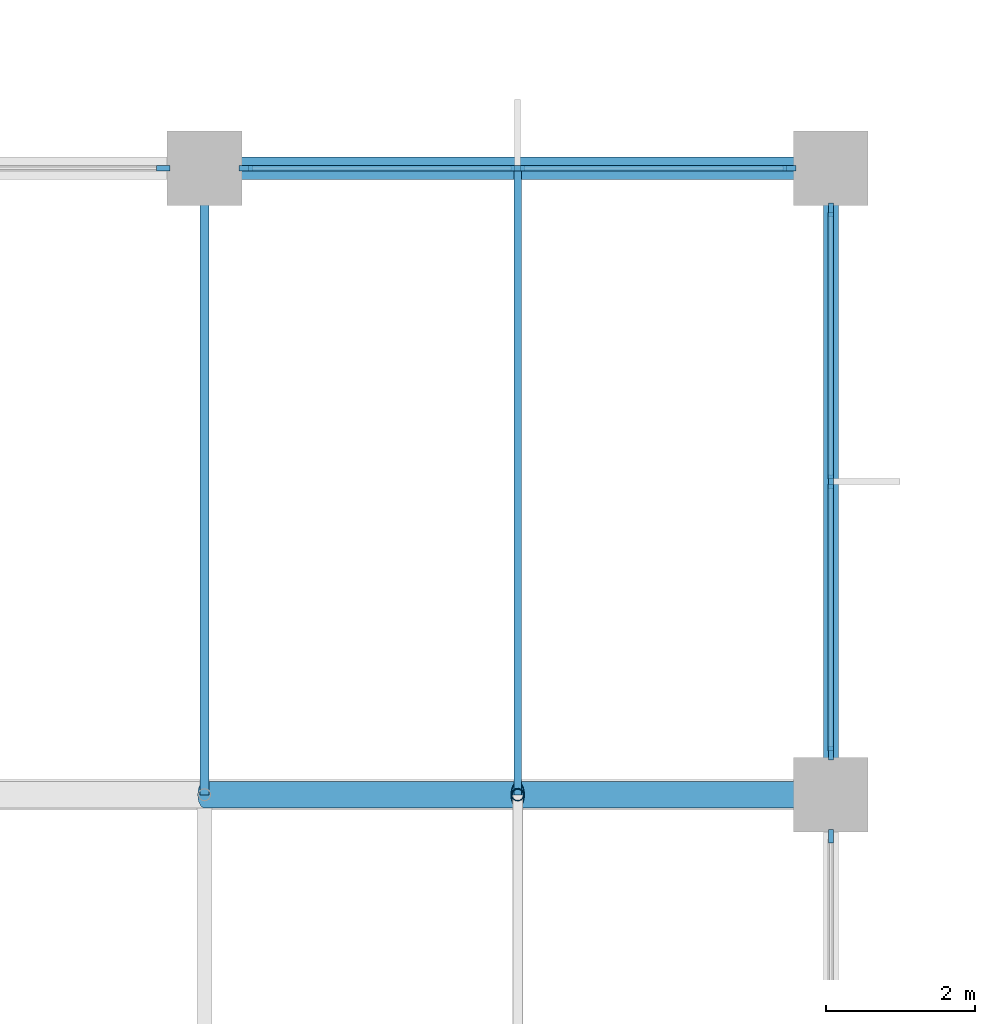
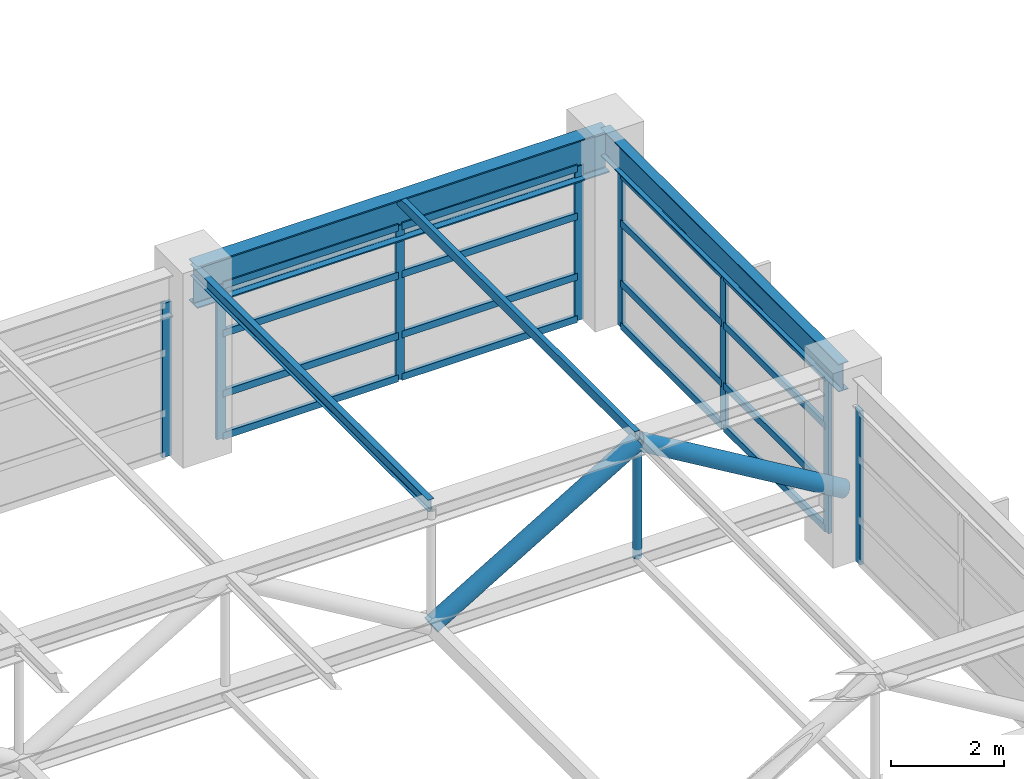
# One storey, part 17 of 32: 29 members, 2 beams, 4 elements without a shape of their own.
"""IFC4 building model written with IfcOpenShell, lengths in metres."""

import ifcopenshell
import ifcopenshell.guid

model = None  # the IFC model being written
_history = None  # IfcOwnerHistory: only IFC2X3 demands one
_inside = {}  # id of a spatial element -> (the spatial element, [elements in it])
_under = {}  # id of a project, library or spatial element -> (it, [spatial elements below it])
_declared = {}  # id of a project -> (the project, [libraries it declares])
_typed = {}  # id of a type object -> (the type object, [elements of that type])
_made_of = {}  # id of a material, layer set ... -> (it, [elements and type objects made of it])


def new_model(schema):
    """Start an empty IFC model of exactly this schema.

    Asked for "IFC4X3", IfcOpenShell would pick the latest addendum, in which some entities
    have other attributes; the version numbers below select the first issue.
    IFC2X3 requires an IfcOwnerHistory on every rooted entity: one is made here for all.
    """
    global model, _history
    if schema == "IFC4X3":
        model = ifcopenshell.file(schema_version=(4, 3, 0, 0))
    else:
        model = ifcopenshell.file(schema=schema)
    _inside.clear()
    _under.clear()
    _declared.clear()
    _typed.clear()
    _made_of.clear()
    _history = None
    if model.schema == "IFC2X3":
        org = make("IfcOrganization", Name="unknown")
        user = make(
            "IfcPersonAndOrganization",
            ThePerson=make("IfcPerson", FamilyName="unknown"),
            TheOrganization=org,
        )
        app = make(
            "IfcApplication",
            ApplicationDeveloper=org,
            Version="unknown",
            ApplicationFullName="unknown",
            ApplicationIdentifier="unknown",
        )
        _history = make(
            "IfcOwnerHistory",
            OwningUser=user,
            OwningApplication=app,
            ChangeAction="ADDED",
            CreationDate=0,
        )
    return model


def make(cls, **values):
    """One entity of the class cls with the attributes given. An attribute that is None is left unset."""
    return model.create_entity(
        cls, **{name: value for name, value in values.items() if value is not None}
    )


def rooted(cls, **values):
    """An entity with a GlobalId (a new one), such as an element, a storey or a relation."""
    return make(cls, GlobalId=ifcopenshell.guid.new(), OwnerHistory=_history, **values)


def si_unit(unit_type, name, prefix=None):
    """IfcSIUnit, for example si_unit("LENGTHUNIT", "METRE", prefix="MILLI")."""
    return make("IfcSIUnit", UnitType=unit_type, Prefix=prefix, Name=name)


def assignment(units):
    """IfcUnitAssignment: the units of a project."""
    return None if units is None else make("IfcUnitAssignment", Units=units)


def point(xyz):
    """IfcCartesianPoint."""
    return None if xyz is None else make("IfcCartesianPoint", Coordinates=xyz)


def direction(xyz):
    """IfcDirection."""
    return None if xyz is None else make("IfcDirection", DirectionRatios=xyz)


def frame(location, z_axis=None, x_axis=None):
    """IfcAxis2Placement3D, a coordinate frame: its origin and axes. An axis left out is left unset."""
    return make(
        "IfcAxis2Placement3D",
        Location=point(location),
        Axis=direction(z_axis),
        RefDirection=direction(x_axis),
    )


def frame_2d(location, x_axis=None):
    """IfcAxis2Placement2D, a coordinate frame in the plane: its origin and x axis."""
    return make(
        "IfcAxis2Placement2D", Location=point(location), RefDirection=direction(x_axis)
    )


def origin():
    """The frame at (0, 0, 0) with its axes left unset."""
    return frame((0.0, 0.0, 0.0))


def origin_2d():
    """The frame at (0, 0) in the plane with its x axis left unset."""
    return frame_2d((0.0, 0.0))


def place(relative_to, where):
    """IfcLocalPlacement: puts the frame where relative to a parent placement (None: the world)."""
    return make(
        "IfcLocalPlacement", PlacementRelTo=relative_to, RelativePlacement=where
    )


def context(
    kind, dimensions, precision=None, world=None, true_north=None, identifier=None
):
    """IfcGeometricRepresentationContext, for example the 3D "Model" context."""
    return make(
        "IfcGeometricRepresentationContext",
        ContextIdentifier=identifier,
        ContextType=kind,
        CoordinateSpaceDimension=dimensions,
        Precision=precision,
        WorldCoordinateSystem=world,
        TrueNorth=true_north,
    )


def subcontext(parent, identifier, kind, view, scale=None):
    """IfcGeometricRepresentationSubContext, for example "Body" below "Model"."""
    return make(
        "IfcGeometricRepresentationSubContext",
        ContextIdentifier=identifier,
        ContextType=kind,
        ParentContext=parent,
        TargetScale=scale,
        TargetView=view,
    )


def project(units=None, contexts=None):
    """IfcProject with its units and contexts."""
    return rooted(
        "IfcProject",
        Name="project",
        RepresentationContexts=contexts,
        UnitsInContext=assignment(units),
    )


def spatial(cls, under=None, at=None, **own):
    """A site, building, storey or space (cls), placed at a placement, below another one or the project."""
    s = rooted(cls, ObjectPlacement=at, **own)
    if under is not None:
        _under.setdefault(under.id(), (under, []))[1].append(s)
    return s


def profile(cls, at=None, kind="AREA", **sizes):
    """A parametric profile (cls). Its sizes go by their IFC names, for example OverallWidth=200.0."""
    return make(cls, ProfileType=kind, Position=at, **sizes)


def rectangle(**sizes):
    """IfcRectangleProfileDef."""
    return profile("IfcRectangleProfileDef", **sizes)


def hollow_rectangle(**sizes):
    """IfcRectangleHollowProfileDef."""
    return profile("IfcRectangleHollowProfileDef", **sizes)


def hollow_circle(**sizes):
    """IfcCircleHollowProfileDef."""
    return profile("IfcCircleHollowProfileDef", **sizes)


def i_section(**sizes):
    """IfcIShapeProfileDef."""
    return profile("IfcIShapeProfileDef", **sizes)


def extrude(swept, where, along, depth):
    """IfcExtrudedAreaSolid: the profile swept, set in the frame where, extruded along a direction by depth."""
    return make(
        "IfcExtrudedAreaSolid",
        SweptArea=swept,
        Position=where,
        ExtrudedDirection=direction(along),
        Depth=depth,
    )


def shape(context_of_items, identifier, shape_type, items):
    """IfcShapeRepresentation: the items that make up one representation, for example the "Body"."""
    return make(
        "IfcShapeRepresentation",
        ContextOfItems=context_of_items,
        RepresentationIdentifier=identifier,
        RepresentationType=shape_type,
        Items=items,
    )


def material(Name=None, Category=None):
    """IfcMaterial."""
    return make("IfcMaterial", Name=Name, Category=Category)


def material_profile(
    of_material, cross_section, Name=None, Category=None, Priority=None
):
    """IfcMaterialProfile: a cross section and its material."""
    return make(
        "IfcMaterialProfile",
        Name=Name,
        Material=of_material,
        Profile=cross_section,
        Priority=Priority,
        Category=Category,
    )


def profile_set(profiles, Name=None, composite=None):
    """IfcMaterialProfileSet."""
    return make(
        "IfcMaterialProfileSet",
        Name=Name,
        MaterialProfiles=profiles,
        CompositeProfile=composite,
    )


def made_of(thing, what):
    """Note that an element or type object is made of a material, layer set ...; save() writes the relation."""
    if what is not None:
        _made_of.setdefault(what.id(), (what, []))[1].append(thing)
    return thing


def type_object(cls, material=None, **own):
    """A type object (cls), such as IfcWallType, which elements share."""
    return made_of(rooted(cls, **own), material)


def element(
    cls,
    number,
    at=None,
    inside=None,
    cuts=None,
    type_object=None,
    material=None,
    context=None,
    identifier="Body",
    shape_type=None,
    held_by="IfcProductDefinitionShape",
    body=None,
    shapes=None,
    **own,
):
    """One element of the class cls, such as IfcWall. Its Tag is "e" and its number.

    at: its placement. inside: the storey or other place that contains it. cuts: it is an
    opening in that element (IfcRelVoidsElement). A single representation is given by context,
    identifier, shape_type and body (its items); several are given by shapes. held_by: the class
    of the entity that holds the representations. save() writes the other relations.
    """
    e = rooted(cls, Tag="e%d" % number, ObjectPlacement=at, **own)
    if body is not None:
        shapes = [shape(context, identifier, shape_type, body)]
    if shapes is not None:
        e.Representation = make(held_by, Representations=shapes)
    if inside is not None:
        _inside.setdefault(inside.id(), (inside, []))[1].append(e)
    if cuts is not None:
        rooted(
            "IfcRelVoidsElement", RelatingBuildingElement=cuts, RelatedOpeningElement=e
        )
    if type_object is not None:
        _typed.setdefault(type_object.id(), (type_object, []))[1].append(e)
    return made_of(e, material)


def aggregate(whole, parts):
    """IfcRelAggregates: a whole, such as a stair, and the parts it consists of."""
    return rooted("IfcRelAggregates", RelatingObject=whole, RelatedObjects=parts)


def save(model, path):
    """Write the relations noted so far, then the file.

    IfcRelAggregates (storeys below a building ...), IfcRelContainedInSpatialStructure (elements
    in a storey), IfcRelDefinesByType, IfcRelAssociatesMaterial and IfcRelDeclares: one each for
    every whole, place, type object, material and project.
    """
    for whole, parts in _under.values():
        aggregate(whole, parts)
    for where, things in _inside.values():
        rooted(
            "IfcRelContainedInSpatialStructure",
            RelatedElements=things,
            RelatingStructure=where,
        )
    for kind, things in _typed.values():
        rooted("IfcRelDefinesByType", RelatedObjects=things, RelatingType=kind)
    for what, things in _made_of.values():
        rooted("IfcRelAssociatesMaterial", RelatedObjects=things, RelatingMaterial=what)
    for by, libraries in _declared.values():
        rooted("IfcRelDeclares", RelatingContext=by, RelatedDefinitions=libraries)
    model.write(path)


model = new_model("IFC4")

# Units and contexts
model_context = context("Model", 3, precision=1e-05, world=origin(), true_north=direction((0.0, 1.0)))
body_context = subcontext(model_context, "Body", "Model", "MODEL_VIEW")
ifc_project = project(units=[si_unit("LENGTHUNIT", "METRE"), si_unit("AREAUNIT", "SQUARE_METRE"), si_unit("VOLUMEUNIT", "CUBIC_METRE"), si_unit("PLANEANGLEUNIT", "RADIAN"), si_unit("MASSUNIT", "GRAM", prefix="KILO")], contexts=[model_context])

# Site, building, storey
site_placement = place(None, origin())
site = spatial("IfcSite", under=ifc_project, at=site_placement, CompositionType="ELEMENT")
building_placement = place(site_placement, origin())
building = spatial("IfcBuilding", under=site, at=building_placement, Name="Xuanlan Plaza Opera House", CompositionType="ELEMENT")
storey_placement = place(building_placement, frame((0.0, 0.0, 40.5)))
storey = spatial("IfcBuildingStorey", under=building, at=storey_placement, Name="L09", CompositionType="ELEMENT", Elevation=40.5)

# Curtain wall, member
ifc_material_1 = material(Name="Anodised Aluminium 6063-T6 and Low-E Glass", Category="aluminium")
curtain_wall_type = type_object("IfcCurtainWallType", Name="ENV-CW-CW-05", PredefinedType="USERDEFINED", material=ifc_material_1)
curtain_wall_1_placement = place(storey_placement, origin())
curtain_wall_1 = element("IfcCurtainWall", 1, at=curtain_wall_1_placement, inside=storey, type_object=curtain_wall_type, Name="Acoustic Glazed Wall FLY-L09-06", ObjectType="ACOUSTIC GLAZED WALL", PredefinedType="USERDEFINED")
ifc_material_2 = material(Name="Anodised Aluminium 6063-T6", Category="aluminium")
ifc_material_profile_1 = material_profile(ifc_material_2, rectangle(XDim=0.070068359375, YDim=0.179931640625, at=origin_2d()), Name="ALU-M 70x180")
ifc_profile_set_1 = profile_set([ifc_material_profile_1], Name="Anodised Aluminium 6063-T6")
member_type_1 = type_object("IfcMemberType", Name="ENV-CWM-02", PredefinedType="MULLION", material=ifc_profile_set_1)
member_1_placement = place(storey_placement, frame((67.199951171875, 66.64501953125, 0.0), z_axis=(0.0, 0.0, 1.0), x_axis=(-1.0, 0.0, 0.0)))
member_1 = element("IfcMember", 2, at=member_1_placement, type_object=member_type_1, Name="CW-05 mullion 3", PredefinedType="MULLION", context=body_context, shape_type="SweptSolid", body=[
    extrude(rectangle(XDim=0.070068359375, YDim=0.179931640625, at=origin_2d()), origin(), (0.0, 0.0, 1.0), 3.320068359375),
])
aggregate(curtain_wall_1, [member_1])

# Curtain wall, members
curtain_wall_2_placement = place(storey_placement, origin())
curtain_wall_2 = element("IfcCurtainWall", 3, at=curtain_wall_2_placement, inside=storey, type_object=curtain_wall_type, Name="Acoustic Glazed Wall FLY-L09-07", ObjectType="ACOUSTIC GLAZED WALL", PredefinedType="USERDEFINED")
member_2_placement = place(storey_placement, frame((67.199951171875, 67.7548828125, 0.0), z_axis=(0.0, 0.0, 1.0), x_axis=(-1.0, 0.0, 0.0)))
member_2 = element("IfcMember", 4, at=member_2_placement, type_object=member_type_1, Name="CW-05 mullion 1", PredefinedType="MULLION", context=body_context, shape_type="SweptSolid", body=[
    extrude(rectangle(XDim=0.070068359375, YDim=0.179931640625, at=origin_2d()), origin(), (0.0, 0.0, 1.0), 3.320068359375),
])
member_3_placement = place(storey_placement, frame((67.199951171875, 71.39990234375, 0.0), z_axis=(0.0, 0.0, 1.0), x_axis=(-1.0, 0.0, 0.0)))
member_3 = element("IfcMember", 5, at=member_3_placement, type_object=member_type_1, Name="CW-05 mullion 2", PredefinedType="MULLION", context=body_context, shape_type="SweptSolid", body=[
    extrude(rectangle(XDim=0.070068359375, YDim=0.179931640625, at=origin_2d()), origin(), (0.0, 0.0, 1.0), 3.320068359375),
])
member_4_placement = place(storey_placement, frame((67.199951171875, 75.044921875, 0.0), z_axis=(0.0, 0.0, 1.0), x_axis=(-1.0, 0.0, 0.0)))
member_4 = element("IfcMember", 6, at=member_4_placement, type_object=member_type_1, Name="CW-05 mullion 3", PredefinedType="MULLION", context=body_context, shape_type="SweptSolid", body=[
    extrude(rectangle(XDim=0.070068359375, YDim=0.179931640625, at=origin_2d()), origin(), (0.0, 0.0, 1.0), 3.320068359375),
])

curtain_wall_3_placement = place(storey_placement, origin())
curtain_wall_3 = element("IfcCurtainWall", 7, at=curtain_wall_3_placement, inside=storey, type_object=curtain_wall_type, Name="Acoustic Glazed Wall FLY-L09-08", ObjectType="ACOUSTIC GLAZED WALL", PredefinedType="USERDEFINED")
member_5_placement = place(storey_placement, frame((66.64501953125, 75.60009765625, 0.0), z_axis=(0.0, 0.0, 1.0), x_axis=(0.0, -1.0, 0.0)))
member_5 = element("IfcMember", 8, at=member_5_placement, type_object=member_type_1, Name="CW-05 mullion 1", PredefinedType="MULLION", context=body_context, shape_type="SweptSolid", body=[
    extrude(rectangle(XDim=0.070068359375, YDim=0.179931640625, at=origin_2d()), origin(), (0.0, 0.0, 1.0), 3.320068359375),
])
member_6_placement = place(storey_placement, frame((63.0, 75.60009765625, 0.0), z_axis=(0.0, 0.0, 1.0), x_axis=(0.0, -1.0, 0.0)))
member_6 = element("IfcMember", 9, at=member_6_placement, type_object=member_type_1, Name="CW-05 mullion 2", PredefinedType="MULLION", context=body_context, shape_type="SweptSolid", body=[
    extrude(rectangle(XDim=0.070068359375, YDim=0.179931640625, at=origin_2d()), origin(), (0.0, 0.0, 1.0), 3.320068359375),
])
member_7_placement = place(storey_placement, frame((59.35498046875, 75.60009765625, 0.0), z_axis=(0.0, 0.0, 1.0), x_axis=(0.0, -1.0, 0.0)))
member_7 = element("IfcMember", 10, at=member_7_placement, type_object=member_type_1, Name="CW-05 mullion 3", PredefinedType="MULLION", context=body_context, shape_type="SweptSolid", body=[
    extrude(rectangle(XDim=0.070068359375, YDim=0.179931640625, at=origin_2d()), origin(), (0.0, 0.0, 1.0), 3.320068359375),
])

# Curtain wall, member
curtain_wall_4_placement = place(storey_placement, origin())
curtain_wall_4 = element("IfcCurtainWall", 11, at=curtain_wall_4_placement, inside=storey, type_object=curtain_wall_type, Name="Acoustic Glazed Wall FLY-L09-09", ObjectType="ACOUSTIC GLAZED WALL", PredefinedType="USERDEFINED")
member_8_placement = place(storey_placement, frame((58.2451171875, 75.60009765625, 0.0), z_axis=(0.0, 0.0, 1.0), x_axis=(0.0, -1.0, 0.0)))
member_8 = element("IfcMember", 12, at=member_8_placement, type_object=member_type_1, Name="CW-05 mullion 1", PredefinedType="MULLION", context=body_context, shape_type="SweptSolid", body=[
    extrude(rectangle(XDim=0.070068359375, YDim=0.179931640625, at=origin_2d()), origin(), (0.0, 0.0, 1.0), 3.320068359375),
])
aggregate(curtain_wall_4, [member_8])

# Member
ifc_material_profile_2 = material_profile(ifc_material_2, rectangle(XDim=0.074951171875, YDim=0.14990234375, at=origin_2d()), Name="ALU-T 75x150")
ifc_profile_set_2 = profile_set([ifc_material_profile_2], Name="Anodised Aluminium 6063-T6")
member_type_2 = type_object("IfcMemberType", Name="ENV-CWT-03", PredefinedType="USERDEFINED", material=ifc_profile_set_2)
member_9_placement = place(storey_placement, frame((67.199951171875, 67.7900390625, 0.03759765625), z_axis=(0.0, 1.0, 0.0), x_axis=(-1.0, 0.0, 0.0)))
member_9 = element("IfcMember", 13, at=member_9_placement, type_object=member_type_2, Name="CW-05 transom 1.1", ObjectType="TRANSOM", PredefinedType="USERDEFINED", context=body_context, shape_type="SweptSolid", body=[
    extrude(rectangle(XDim=0.074951171875, YDim=0.14990234375, at=origin_2d()), origin(), (0.0, 0.0, 1.0), 3.574951171875),
])

member_10_placement = place(storey_placement, frame((67.199951171875, 67.7900390625, 0.949951171875), z_axis=(0.0, 1.0, 0.0), x_axis=(-1.0, 0.0, 0.0)))
member_10 = element("IfcMember", 14, at=member_10_placement, type_object=member_type_2, Name="CW-05 transom 1.2", ObjectType="TRANSOM", PredefinedType="USERDEFINED", context=body_context, shape_type="SweptSolid", body=[
    extrude(rectangle(XDim=0.074951171875, YDim=0.14990234375, at=origin_2d()), origin(), (0.0, 0.0, 1.0), 3.574951171875),
])

member_11_placement = place(storey_placement, frame((67.199951171875, 67.7900390625, 2.25), z_axis=(0.0, 1.0, 0.0), x_axis=(-1.0, 0.0, 0.0)))
member_11 = element("IfcMember", 15, at=member_11_placement, type_object=member_type_2, Name="CW-05 transom 1.3", ObjectType="TRANSOM", PredefinedType="USERDEFINED", context=body_context, shape_type="SweptSolid", body=[
    extrude(rectangle(XDim=0.074951171875, YDim=0.14990234375, at=origin_2d()), origin(), (0.0, 0.0, 1.0), 3.574951171875),
])

member_12_placement = place(storey_placement, frame((67.199951171875, 67.7900390625, 3.282470703125), z_axis=(0.0, 1.0, 0.0), x_axis=(-1.0, 0.0, 0.0)))
member_12 = element("IfcMember", 16, at=member_12_placement, type_object=member_type_2, Name="CW-05 transom 1.4", ObjectType="TRANSOM", PredefinedType="USERDEFINED", context=body_context, shape_type="SweptSolid", body=[
    extrude(rectangle(XDim=0.074951171875, YDim=0.14990234375, at=origin_2d()), origin(), (0.0, 0.0, 1.0), 3.574951171875),
])

member_13_placement = place(storey_placement, frame((67.199951171875, 71.43505859375, 0.03759765625), z_axis=(0.0, 1.0, 0.0), x_axis=(-1.0, 0.0, 0.0)))
member_13 = element("IfcMember", 17, at=member_13_placement, type_object=member_type_2, Name="CW-05 transom 2.1", ObjectType="TRANSOM", PredefinedType="USERDEFINED", context=body_context, shape_type="SweptSolid", body=[
    extrude(rectangle(XDim=0.074951171875, YDim=0.14990234375, at=origin_2d()), origin(), (0.0, 0.0, 1.0), 3.574951171875),
])

member_14_placement = place(storey_placement, frame((67.199951171875, 71.43505859375, 0.949951171875), z_axis=(0.0, 1.0, 0.0), x_axis=(-1.0, 0.0, 0.0)))
member_14 = element("IfcMember", 18, at=member_14_placement, type_object=member_type_2, Name="CW-05 transom 2.2", ObjectType="TRANSOM", PredefinedType="USERDEFINED", context=body_context, shape_type="SweptSolid", body=[
    extrude(rectangle(XDim=0.074951171875, YDim=0.14990234375, at=origin_2d()), origin(), (0.0, 0.0, 1.0), 3.574951171875),
])

member_15_placement = place(storey_placement, frame((67.199951171875, 71.43505859375, 2.25), z_axis=(0.0, 1.0, 0.0), x_axis=(-1.0, 0.0, 0.0)))
member_15 = element("IfcMember", 19, at=member_15_placement, type_object=member_type_2, Name="CW-05 transom 2.3", ObjectType="TRANSOM", PredefinedType="USERDEFINED", context=body_context, shape_type="SweptSolid", body=[
    extrude(rectangle(XDim=0.074951171875, YDim=0.14990234375, at=origin_2d()), origin(), (0.0, 0.0, 1.0), 3.574951171875),
])

member_16_placement = place(storey_placement, frame((67.199951171875, 71.43505859375, 3.282470703125), z_axis=(0.0, 1.0, 0.0), x_axis=(-1.0, 0.0, 0.0)))
member_16 = element("IfcMember", 20, at=member_16_placement, type_object=member_type_2, Name="CW-05 transom 2.4", ObjectType="TRANSOM", PredefinedType="USERDEFINED", context=body_context, shape_type="SweptSolid", body=[
    extrude(rectangle(XDim=0.074951171875, YDim=0.14990234375, at=origin_2d()), origin(), (0.0, 0.0, 1.0), 3.574951171875),
])

aggregate(curtain_wall_2, [member_2, member_3, member_4, member_9, member_10, member_11, member_12, member_13, member_14, member_15, member_16])

member_17_placement = place(storey_placement, frame((66.610107421875, 75.60009765625, 0.03759765625), z_axis=(-1.0, 0.0, 0.0), x_axis=(0.0, -1.0, 0.0)))
member_17 = element("IfcMember", 21, at=member_17_placement, type_object=member_type_2, Name="CW-05 transom 1.1", ObjectType="TRANSOM", PredefinedType="USERDEFINED", context=body_context, shape_type="SweptSolid", body=[
    extrude(rectangle(XDim=0.074951171875, YDim=0.14990234375, at=origin_2d()), origin(), (0.0, 0.0, 1.0), 3.5751953125),
])

member_18_placement = place(storey_placement, frame((66.610107421875, 75.60009765625, 0.949951171875), z_axis=(-1.0, 0.0, 0.0), x_axis=(0.0, -1.0, 0.0)))
member_18 = element("IfcMember", 22, at=member_18_placement, type_object=member_type_2, Name="CW-05 transom 1.2", ObjectType="TRANSOM", PredefinedType="USERDEFINED", context=body_context, shape_type="SweptSolid", body=[
    extrude(rectangle(XDim=0.074951171875, YDim=0.14990234375, at=origin_2d()), origin(), (0.0, 0.0, 1.0), 3.5751953125),
])

member_19_placement = place(storey_placement, frame((66.610107421875, 75.60009765625, 2.25), z_axis=(-1.0, 0.0, 0.0), x_axis=(0.0, -1.0, 0.0)))
member_19 = element("IfcMember", 23, at=member_19_placement, type_object=member_type_2, Name="CW-05 transom 1.3", ObjectType="TRANSOM", PredefinedType="USERDEFINED", context=body_context, shape_type="SweptSolid", body=[
    extrude(rectangle(XDim=0.074951171875, YDim=0.14990234375, at=origin_2d()), origin(), (0.0, 0.0, 1.0), 3.5751953125),
])

member_20_placement = place(storey_placement, frame((66.610107421875, 75.60009765625, 3.282470703125), z_axis=(-1.0, 0.0, 0.0), x_axis=(0.0, -1.0, 0.0)))
member_20 = element("IfcMember", 24, at=member_20_placement, type_object=member_type_2, Name="CW-05 transom 1.4", ObjectType="TRANSOM", PredefinedType="USERDEFINED", context=body_context, shape_type="SweptSolid", body=[
    extrude(rectangle(XDim=0.074951171875, YDim=0.14990234375, at=origin_2d()), origin(), (0.0, 0.0, 1.0), 3.5751953125),
])

member_21_placement = place(storey_placement, frame((62.965087890625, 75.60009765625, 0.03759765625), z_axis=(-1.0, 0.0, 0.0), x_axis=(0.0, -1.0, 0.0)))
member_21 = element("IfcMember", 25, at=member_21_placement, type_object=member_type_2, Name="CW-05 transom 2.1", ObjectType="TRANSOM", PredefinedType="USERDEFINED", context=body_context, shape_type="SweptSolid", body=[
    extrude(rectangle(XDim=0.074951171875, YDim=0.14990234375, at=origin_2d()), origin(), (0.0, 0.0, 1.0), 3.5751953125),
])

member_22_placement = place(storey_placement, frame((62.965087890625, 75.60009765625, 0.949951171875), z_axis=(-1.0, 0.0, 0.0), x_axis=(0.0, -1.0, 0.0)))
member_22 = element("IfcMember", 26, at=member_22_placement, type_object=member_type_2, Name="CW-05 transom 2.2", ObjectType="TRANSOM", PredefinedType="USERDEFINED", context=body_context, shape_type="SweptSolid", body=[
    extrude(rectangle(XDim=0.074951171875, YDim=0.14990234375, at=origin_2d()), origin(), (0.0, 0.0, 1.0), 3.5751953125),
])

member_23_placement = place(storey_placement, frame((62.965087890625, 75.60009765625, 2.25), z_axis=(-1.0, 0.0, 0.0), x_axis=(0.0, -1.0, 0.0)))
member_23 = element("IfcMember", 27, at=member_23_placement, type_object=member_type_2, Name="CW-05 transom 2.3", ObjectType="TRANSOM", PredefinedType="USERDEFINED", context=body_context, shape_type="SweptSolid", body=[
    extrude(rectangle(XDim=0.074951171875, YDim=0.14990234375, at=origin_2d()), origin(), (0.0, 0.0, 1.0), 3.5751953125),
])

member_24_placement = place(storey_placement, frame((62.965087890625, 75.60009765625, 3.282470703125), z_axis=(-1.0, 0.0, 0.0), x_axis=(0.0, -1.0, 0.0)))
member_24 = element("IfcMember", 28, at=member_24_placement, type_object=member_type_2, Name="CW-05 transom 2.4", ObjectType="TRANSOM", PredefinedType="USERDEFINED", context=body_context, shape_type="SweptSolid", body=[
    extrude(rectangle(XDim=0.074951171875, YDim=0.14990234375, at=origin_2d()), origin(), (0.0, 0.0, 1.0), 3.5751953125),
])

aggregate(curtain_wall_3, [member_5, member_6, member_7, member_17, member_18, member_19, member_20, member_21, member_22, member_23, member_24])

# Beams
ifc_material_3 = material(Name="Steel Q390B", Category="steel")
ifc_material_profile_3 = material_profile(ifc_material_3, i_section(OverallWidth=0.300048828125, OverallDepth=0.89990234375, WebThickness=0.01611328125, FlangeThickness=0.028076171875, FilletRadius=0.028076171875, at=origin_2d()), Name="HN 900x300x16x28")
ifc_profile_set_3 = profile_set([ifc_material_profile_3], Name="Steel Q390B")
beam_type_1 = type_object("IfcBeamType", Name="STR-BM-SB-01", PredefinedType="BEAM", material=ifc_profile_set_3)
beam_1_placement = place(storey_placement, frame((58.800048828125, 75.60009765625, 3.510009765625), z_axis=(1.0, 0.0, 0.0), x_axis=(0.0, 1.0, 0.0)))
element("IfcBeam", 29, at=beam_1_placement, inside=storey, type_object=beam_type_1, Name="Fly Tower Edge Girder L09 8-9/J", PredefinedType="BEAM", context=body_context, shape_type="SweptSolid", body=[
    extrude(i_section(OverallWidth=0.300048828125, OverallDepth=0.89990234375, WebThickness=0.01611328125, FlangeThickness=0.028076171875, FilletRadius=0.028076171875, at=origin_2d()), origin(), (0.0, 0.0, 1.0), 8.39990234375),
])
ifc_material_4 = material(Name="Steel Q355B", Category="steel")
ifc_material_profile_4 = material_profile(ifc_material_4, i_section(OverallWidth=0.199951171875, OverallDepth=0.60009765625, WebThickness=0.010986328125, FlangeThickness=0.01708984375, FilletRadius=0.02197265625, at=origin_2d()), Name="HN 600x200x11x17")
ifc_profile_set_4 = profile_set([ifc_material_profile_4], Name="Steel Q355B")
beam_type_2 = type_object("IfcBeamType", Name="STR-BM-SB-04", PredefinedType="BEAM", material=ifc_profile_set_4)
beam_2_placement = place(storey_placement, frame((67.199951171875, 67.199951171875, 3.659912109375), z_axis=(0.0, 1.0, 0.0), x_axis=(-1.0, 0.0, 0.0)))
element("IfcBeam", 30, at=beam_2_placement, inside=storey, type_object=beam_type_2, Name="Fly Tower Ring Beam Y L09 9/I-J", PredefinedType="BEAM", context=body_context, shape_type="SweptSolid", body=[
    extrude(i_section(OverallWidth=0.199951171875, OverallDepth=0.60009765625, WebThickness=0.010986328125, FlangeThickness=0.01708984375, FilletRadius=0.02197265625, at=origin_2d()), origin(), (0.0, 0.0, 1.0), 8.400146484375),
])

# Members
ifc_material_profile_5 = material_profile(ifc_material_4, hollow_circle(Radius=0.177734375, WallThickness=0.01611328125, at=origin_2d()), Name="CHS 355.6x16")
ifc_profile_set_5 = profile_set([ifc_material_profile_5], Name="Steel Q355B")
member_type_3 = type_object("IfcMemberType", Name="STR-MEM-BR-02", PredefinedType="BRACE", material=ifc_profile_set_5)
for number, where, z_axis, x_axis, name in (
    (31, (58.800048828125, 67.199951171875, 1.251953125), (0.859290270856, 0.0, 0.511488250512), (0.0, 1.0, 0.0), "Stage Roof Truss STG-03 Web Diagonal 5"),
    (32, (63.0, 67.199951171875, 3.751953125), (0.859290270856, 0.0, -0.511488250512), (0.0, 1.0, 0.0), "Stage Roof Truss STG-03 Web Diagonal 6"),
):
    element("IfcMember", number, at=place(storey_placement, frame(where, z_axis=z_axis, x_axis=x_axis)), inside=storey, type_object=member_type_3, Name=name, PredefinedType="BRACE", context=body_context, shape_type="SweptSolid", body=[
        extrude(hollow_circle(Radius=0.177734375, WallThickness=0.01611328125, at=origin_2d()), origin(), (0.0, 0.0, 1.0), 4.8876953125),
    ])
ifc_material_profile_6 = material_profile(ifc_material_4, i_section(OverallWidth=0.125, OverallDepth=0.25, WebThickness=0.006103515625, FlangeThickness=0.009033203125, FilletRadius=0.011962890625, at=origin_2d()), Name="HN 250x125x6x9")
ifc_profile_set_6 = profile_set([ifc_material_profile_6], Name="Steel Q355B")
member_type_4 = type_object("IfcMemberType", Name="STR-MEM-PR-01", PredefinedType="PURLIN", material=ifc_profile_set_6)
member_25_placement = place(storey_placement, frame((58.800048828125, 67.199951171875, 3.833984375), z_axis=(0.0, 1.0, 0.0), x_axis=(-1.0, 0.0, 0.0)))
element("IfcMember", 33, at=member_25_placement, inside=storey, type_object=member_type_4, Name="Stage Gridiron Roof Purlin 4-5", PredefinedType="PURLIN", context=body_context, shape_type="SweptSolid", body=[
    extrude(i_section(OverallWidth=0.125, OverallDepth=0.25, WebThickness=0.006103515625, FlangeThickness=0.009033203125, FilletRadius=0.011962890625, at=origin_2d()), origin(), (0.0, 0.0, 1.0), 8.400146484375),
])
ifc_material_profile_7 = material_profile(ifc_material_4, hollow_rectangle(XDim=0.10009765625, YDim=0.199951171875, WallThickness=0.008056640625, at=origin_2d()), Name="RHS 200x100x8")
ifc_profile_set_7 = profile_set([ifc_material_profile_7], Name="Steel Q355B")
member_type_5 = type_object("IfcMemberType", Name="STR-MEM-PR-02", PredefinedType="PURLIN", material=ifc_profile_set_7)
member_26_placement = place(storey_placement, frame((63.0, 67.199951171875, 3.85888671875), z_axis=(0.0, 1.0, 0.0), x_axis=(-1.0, 0.0, 0.0)))
element("IfcMember", 34, at=member_26_placement, inside=storey, type_object=member_type_5, Name="Stage Gridiron Roof Purlin 4-6", PredefinedType="PURLIN", context=body_context, shape_type="SweptSolid", body=[
    extrude(hollow_rectangle(XDim=0.10009765625, YDim=0.199951171875, WallThickness=0.008056640625, at=origin_2d()), origin(), (0.0, 0.0, 1.0), 8.400146484375),
])
ifc_material_profile_8 = material_profile(ifc_material_4, hollow_circle(Radius=0.084228515625, WallThickness=0.008056640625, at=origin_2d()), Name="CHS 168.3x8")
ifc_profile_set_8 = profile_set([ifc_material_profile_8], Name="Steel Q355B")
member_type_6 = type_object("IfcMemberType", Name="STR-MEM-ST-M1", PredefinedType="STRUT", material=ifc_profile_set_8)
member_27_placement = place(storey_placement, frame((63.0, 67.199951171875, 1.251953125), z_axis=(0.0, 0.0, 1.0), x_axis=(1.0, 0.0, 0.0)))
element("IfcMember", 35, at=member_27_placement, inside=storey, type_object=member_type_6, Name="Stage Roof Truss STG-03 Vertical Strut 5", PredefinedType="STRUT", context=body_context, shape_type="SweptSolid", body=[
    extrude(hollow_circle(Radius=0.084228515625, WallThickness=0.008056640625, at=origin_2d()), origin(), (0.0, 0.0, 1.0), 2.5),
])

save(model, "model.ifc")
